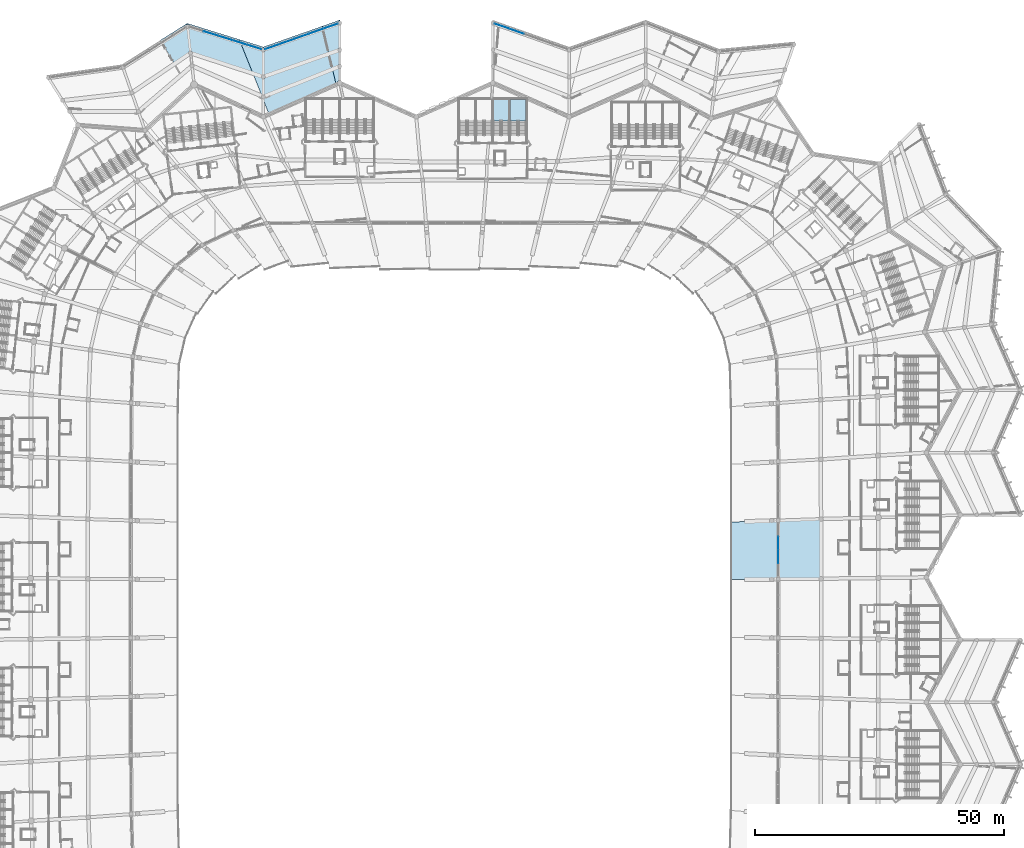
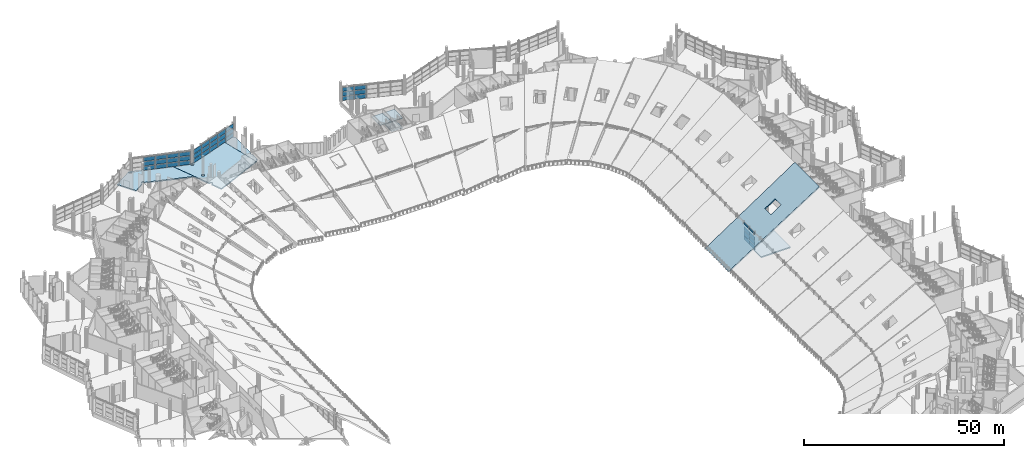
# One storey, part 126 of 249: 41 plates, 8 slabs, 6 elements without a shape of their own.
"""IFC4 building model written with IfcOpenShell, lengths in metres."""

from ifc_helpers import new_model, si_unit, direction, frame, origin, origin_2d, place, context, subcontext, project, spatial, polyline, rectangle, outline, extrude, material, layer, layer_set, type_object, element, aggregate, save


model = new_model("IFC4")

# Units and contexts
model_context = context("Model", 3, precision=1e-05, world=origin(), true_north=direction((0.0, 1.0)))
body_context = subcontext(model_context, "Body", "Model", "MODEL_VIEW")
ifc_project = project(units=[si_unit("LENGTHUNIT", "METRE"), si_unit("AREAUNIT", "SQUARE_METRE"), si_unit("VOLUMEUNIT", "CUBIC_METRE"), si_unit("PLANEANGLEUNIT", "RADIAN"), si_unit("MASSUNIT", "GRAM", prefix="KILO")], contexts=[model_context])

# Site, building, storey
site_placement = place(None, origin())
site = spatial("IfcSite", under=ifc_project, at=site_placement, CompositionType="ELEMENT")
building_placement = place(site_placement, origin())
building = spatial("IfcBuilding", under=site, at=building_placement, Name="Meseta Stadium", CompositionType="ELEMENT")
storey_placement = place(building_placement, frame((0.0, 0.0, 12.0)))
storey = spatial("IfcBuildingStorey", under=building, at=storey_placement, Name="L02", CompositionType="ELEMENT", Elevation=12.0)

# Curtain wall, plates
ifc_material_1 = material(Name="Aluminium", Category="aluminium")
ifc_layer_1 = layer(ifc_material_1, 0.199951171875)
ifc_layer_set_1 = layer_set([ifc_layer_1], Name="Suite glazing curtain wall")
curtain_wall_type_1 = type_object("IfcCurtainWallType", Name="Suite glazing curtain wall", PredefinedType="NOTDEFINED", material=ifc_layer_set_1)
curtain_wall_1_placement = place(storey_placement, origin())
curtain_wall_1 = element("IfcCurtainWall", 1, at=curtain_wall_1_placement, inside=storey, type_object=curtain_wall_type_1, Name="Suite glazing bay 05", PredefinedType="NOTDEFINED")
ifc_material_2 = material(Name="Glass", Category="glass")
ifc_layer_2 = layer(ifc_material_2, 0.035888671875)
ifc_layer_set_2 = layer_set([ifc_layer_2], Name="CW glass panel 36")
plate_type_1 = type_object("IfcPlateType", Name="CW glass panel 36", PredefinedType="CURTAIN_PANEL", material=ifc_layer_set_2)
plate_1_placement = place(storey_placement, frame((64.89404296875, 10.421875, 0.14990234375), z_axis=(0.0, 0.0, 1.0), x_axis=(-0.000975355927, 0.99999952434, 0.0)))
plate_1 = element("IfcPlate", 2, at=plate_1_placement, type_object=plate_type_1, Name="CWS panel 2.1", PredefinedType="CURTAIN_PANEL", context=body_context, shape_type="SweptSolid", body=[
    extrude(rectangle(XDim=2.643798828125, YDim=0.035888671875, at=origin_2d()), origin(), (0.0, 0.0, 1.0), 1.1875),
])
plate_2_placement = place(storey_placement, frame((64.89404296875, 10.421875, 1.4873046875), z_axis=(0.0, 0.0, 1.0), x_axis=(-0.000975355927, 0.99999952434, 0.0)))
plate_2 = element("IfcPlate", 3, at=plate_2_placement, type_object=plate_type_1, Name="CWS panel 2.2", PredefinedType="CURTAIN_PANEL", context=body_context, shape_type="SweptSolid", body=[
    extrude(rectangle(XDim=2.643798828125, YDim=0.035888671875, at=origin_2d()), origin(), (0.0, 0.0, 1.0), 1.262451171875),
])
plate_3_placement = place(storey_placement, frame((64.89404296875, 10.421875, 2.89990234375), z_axis=(0.0, 0.0, 1.0), x_axis=(-0.000975355927, 0.99999952434, 0.0)))
plate_3 = element("IfcPlate", 4, at=plate_3_placement, type_object=plate_type_1, Name="CWS panel 2.3", PredefinedType="CURTAIN_PANEL", context=body_context, shape_type="SweptSolid", body=[
    extrude(rectangle(XDim=2.643798828125, YDim=0.035888671875, at=origin_2d()), origin(), (0.0, 0.0, 1.0), 1.262451171875),
])
plate_4_placement = place(storey_placement, frame((64.89404296875, 10.421875, 4.3125), z_axis=(0.0, 0.0, 1.0), x_axis=(-0.000975355927, 0.99999952434, 0.0)))
plate_4 = element("IfcPlate", 5, at=plate_4_placement, type_object=plate_type_1, Name="CWS panel 2.4", PredefinedType="CURTAIN_PANEL", context=body_context, shape_type="SweptSolid", body=[
    extrude(rectangle(XDim=2.643798828125, YDim=0.035888671875, at=origin_2d()), origin(), (0.0, 0.0, 1.0), 1.1875),
])
plate_5_placement = place(storey_placement, frame((64.8916015625, 13.125732421875, 0.14990234375), z_axis=(0.0, 0.0, 1.0), x_axis=(-0.000975355927, 0.99999952434, 0.0)))
plate_5 = element("IfcPlate", 6, at=plate_5_placement, type_object=plate_type_1, Name="CWS panel 3.1", PredefinedType="CURTAIN_PANEL", context=body_context, shape_type="SweptSolid", body=[
    extrude(rectangle(XDim=2.643798828125, YDim=0.035888671875, at=origin_2d()), origin(), (0.0, 0.0, 1.0), 1.1875),
])
plate_6_placement = place(storey_placement, frame((64.8916015625, 13.125732421875, 1.4873046875), z_axis=(0.0, 0.0, 1.0), x_axis=(-0.000975355927, 0.99999952434, 0.0)))
plate_6 = element("IfcPlate", 7, at=plate_6_placement, type_object=plate_type_1, Name="CWS panel 3.2", PredefinedType="CURTAIN_PANEL", context=body_context, shape_type="SweptSolid", body=[
    extrude(rectangle(XDim=2.643798828125, YDim=0.035888671875, at=origin_2d()), origin(), (0.0, 0.0, 1.0), 1.262451171875),
])
plate_7_placement = place(storey_placement, frame((64.8916015625, 13.125732421875, 2.89990234375), z_axis=(0.0, 0.0, 1.0), x_axis=(-0.000975355927, 0.99999952434, 0.0)))
plate_7 = element("IfcPlate", 8, at=plate_7_placement, type_object=plate_type_1, Name="CWS panel 3.3", PredefinedType="CURTAIN_PANEL", context=body_context, shape_type="SweptSolid", body=[
    extrude(rectangle(XDim=2.643798828125, YDim=0.035888671875, at=origin_2d()), origin(), (0.0, 0.0, 1.0), 1.262451171875),
])
plate_8_placement = place(storey_placement, frame((64.8916015625, 13.125732421875, 4.3125), z_axis=(0.0, 0.0, 1.0), x_axis=(-0.000975355927, 0.99999952434, 0.0)))
plate_8 = element("IfcPlate", 9, at=plate_8_placement, type_object=plate_type_1, Name="CWS panel 3.4", PredefinedType="CURTAIN_PANEL", context=body_context, shape_type="SweptSolid", body=[
    extrude(rectangle(XDim=2.643798828125, YDim=0.035888671875, at=origin_2d()), origin(), (0.0, 0.0, 1.0), 1.1875),
])
aggregate(curtain_wall_1, [plate_1, plate_2, plate_3, plate_4, plate_5, plate_6, plate_7, plate_8])

# Slabs
ifc_material_3 = material(Name="Concrete C40/50", Category="concrete")
ifc_layer_3 = layer(ifc_material_3, 0.35009765625)
ifc_layer_set_3 = layer_set([ifc_layer_3], Name="Floor slab 350")
slab_type_1 = type_object("IfcSlabType", Name="Floor slab 350", PredefinedType="FLOOR", material=ifc_layer_set_3)
slab_1_placement = place(storey_placement, frame((0.0, 0.0, -0.35009765625)))
element("IfcSlab", 10, at=slab_1_placement, inside=storey, type_object=slab_type_1, Name="Floor slab L02 sector 00 panel 06", PredefinedType="FLOOR", context=body_context, shape_type="SweptSolid", body=[
    extrude(outline(polyline([(64.894287109375, 11.77392578125), (64.898681640625, 5.886962890625), (73.498046875, 5.981201171875), (73.482421875, 17.943603515625), (64.88720703125, 17.660888671875), (64.894287109375, 11.77392578125)])), origin(), (0.0, 0.0, 1.0), 0.35009765625),
])
slab_2_placement = place(storey_placement, frame((0.0, 0.0, -0.35009765625)))
element("IfcSlab", 11, at=slab_2_placement, inside=storey, type_object=slab_type_1, Name="Ring floor slab L02 3 part 1 panel 04", PredefinedType="FLOOR", context=body_context, shape_type="SweptSolid", body=[
    extrude(outline(polyline([(-53.318603515625, 111.372314453125), (-53.3046875, 111.476806640625), (-53.264404296875, 111.57421875), (-53.2001953125, 111.65771484375), (-53.11669921875, 111.7216796875), (-53.019287109375, 111.76220703125), (-52.9150390625, 111.77587890625), (-52.810546875, 111.76220703125), (-52.71337890625, 111.7216796875), (-52.629638671875, 111.65771484375), (-52.565673828125, 111.57421875), (-52.525390625, 111.476806640625), (-52.51171875, 111.372314453125), (-52.525390625, 111.267822265625), (-52.53369140625, 111.24755859375), (-40.443603515625, 107.29052734375), (-43.142822265625, 114.093017578125), (-53.5869140625, 117.334716796875), (-58.92919921875, 113.96826171875), (-56.162109375, 109.18115234375), (-53.247314453125, 111.148193359375), (-53.264404296875, 111.170654296875), (-53.3046875, 111.267822265625), (-53.318603515625, 111.372314453125)]), holes=[polyline([(-53.1162109375, 116.73828125), (-53.1298828125, 116.634033203125), (-53.170166015625, 116.53662109375), (-53.234375, 116.453125), (-53.31787109375, 116.388916015625), (-53.415283203125, 116.3486328125), (-53.51953125, 116.3349609375), (-53.6240234375, 116.3486328125), (-53.72119140625, 116.388916015625), (-53.804931640625, 116.453125), (-53.868896484375, 116.53662109375), (-53.9091796875, 116.634033203125), (-53.923095703125, 116.73828125), (-53.9091796875, 116.8427734375), (-53.868896484375, 116.940185546875), (-53.804931640625, 117.023681640625), (-53.72119140625, 117.087890625), (-53.6240234375, 117.128173828125), (-53.51953125, 117.141845703125), (-53.415283203125, 117.128173828125), (-53.31787109375, 117.087890625), (-53.234375, 117.023681640625), (-53.170166015625, 116.940185546875), (-53.1298828125, 116.8427734375), (-53.1162109375, 116.73828125)])]), origin(), (0.0, 0.0, 1.0), 0.35009765625),
])
slab_3_placement = place(storey_placement, frame((0.0, 0.0, -0.35009765625)))
element("IfcSlab", 12, at=slab_3_placement, inside=storey, type_object=slab_type_1, Name="Ring floor slab L02 3 part 2 panel 01", PredefinedType="FLOOR", context=body_context, shape_type="SweptSolid", body=[
    extrude(outline(polyline([(-38.333251953125, 102.196533203125), (-38.404296875, 102.205810546875), (-37.232421875, 99.25244140625), (-23.767578125, 105.2236328125), (-26.514892578125, 116.76220703125), (-38.333251953125, 112.60009765625), (-43.118408203125, 114.085205078125), (-38.655029296875, 102.837890625), (-38.61865234375, 102.88525390625), (-38.53515625, 102.949462890625), (-38.437744140625, 102.98974609375), (-38.333251953125, 103.00341796875), (-38.22900390625, 102.98974609375), (-38.131591796875, 102.949462890625), (-38.048095703125, 102.88525390625), (-37.98388671875, 102.8017578125), (-37.943603515625, 102.704345703125), (-37.929931640625, 102.60009765625), (-37.943603515625, 102.49560546875), (-37.98388671875, 102.398193359375), (-38.048095703125, 102.314697265625), (-38.131591796875, 102.25048828125), (-38.22900390625, 102.210205078125), (-38.333251953125, 102.196533203125)]), holes=[polyline([(-38.722900390625, 106.49560546875), (-38.73681640625, 106.60009765625), (-38.722900390625, 106.704345703125), (-38.6826171875, 106.8017578125), (-38.61865234375, 106.88525390625), (-38.53515625, 106.949462890625), (-38.437744140625, 106.98974609375), (-38.333251953125, 107.00341796875), (-38.22900390625, 106.98974609375), (-38.131591796875, 106.949462890625), (-38.048095703125, 106.88525390625), (-37.98388671875, 106.8017578125), (-37.943603515625, 106.704345703125), (-37.929931640625, 106.60009765625), (-37.943603515625, 106.49560546875), (-37.98388671875, 106.398193359375), (-38.048095703125, 106.314697265625), (-38.131591796875, 106.25048828125), (-38.22900390625, 106.210205078125), (-38.333251953125, 106.196533203125), (-38.437744140625, 106.210205078125), (-38.53515625, 106.25048828125), (-38.61865234375, 106.314697265625), (-38.6826171875, 106.398193359375), (-38.722900390625, 106.49560546875)]), polyline([(-38.048095703125, 111.714599609375), (-38.131591796875, 111.650634765625), (-38.22900390625, 111.6103515625), (-38.333251953125, 111.596435546875), (-38.437744140625, 111.6103515625), (-38.53515625, 111.650634765625), (-38.61865234375, 111.714599609375), (-38.6826171875, 111.79833984375), (-38.722900390625, 111.8955078125), (-38.73681640625, 112.0), (-38.722900390625, 112.1044921875), (-38.6826171875, 112.20166015625), (-38.61865234375, 112.285400390625), (-38.53515625, 112.349365234375), (-38.437744140625, 112.3896484375), (-38.333251953125, 112.403564453125), (-38.22900390625, 112.3896484375), (-38.131591796875, 112.349365234375), (-38.048095703125, 112.285400390625), (-37.98388671875, 112.20166015625), (-37.943603515625, 112.1044921875), (-37.929931640625, 112.0), (-37.943603515625, 111.8955078125), (-37.98388671875, 111.79833984375), (-38.048095703125, 111.714599609375)])]), origin(), (0.0, 0.0, 1.0), 0.35009765625),
])
slab_4_placement = place(storey_placement, frame((0.0, 0.0, -0.35009765625)))
element("IfcSlab", 13, at=slab_4_placement, inside=storey, type_object=slab_type_1, Name="Ring floor slab L02 3 part 2 panel 02", PredefinedType="FLOOR", context=body_context, shape_type="SweptSolid", body=[
    extrude(outline(polyline([(-23.130615234375, 105.88720703125), (-23.04150390625, 105.898681640625), (-23.04150390625, 108.302001953125), (-23.1044921875, 108.310302734375), (-23.20166015625, 108.3505859375), (-23.285400390625, 108.414794921875), (-23.349365234375, 108.498291015625), (-23.37158203125, 108.552001953125), (-23.3896484375, 108.595703125), (-23.403564453125, 108.699951171875), (-23.3896484375, 108.804443359375), (-23.349365234375, 108.901611328125), (-23.285400390625, 108.9853515625), (-23.20166015625, 109.04931640625), (-23.1044921875, 109.089599609375), (-23.04150390625, 109.097900390625), (-23.04150390625, 111.60205078125), (-23.1044921875, 111.6103515625), (-23.20166015625, 111.650634765625), (-23.285400390625, 111.714599609375), (-23.349365234375, 111.79833984375), (-23.3896484375, 111.8955078125), (-23.403564453125, 112.0), (-23.3896484375, 112.1044921875), (-23.349365234375, 112.20166015625), (-23.285400390625, 112.285400390625), (-23.20166015625, 112.349365234375), (-23.1044921875, 112.3896484375), (-23.04150390625, 112.39794921875), (-23.04150390625, 113.593994140625), (-23.0, 113.60009765625), (-23.0, 116.99658203125), (-23.1044921875, 117.01025390625), (-23.20166015625, 117.050537109375), (-23.285400390625, 117.11474609375), (-23.349365234375, 117.1982421875), (-23.3896484375, 117.295654296875), (-23.403564453125, 117.39990234375), (-23.3896484375, 117.50439453125), (-23.349365234375, 117.601806640625), (-23.285400390625, 117.685302734375), (-23.20166015625, 117.74951171875), (-23.1044921875, 117.789794921875), (-23.0, 117.803466796875), (-23.0, 118.0), (-26.514892578125, 116.76220703125), (-23.767578125, 105.2236328125), (-23.496826171875, 105.34375), (-23.50439453125, 105.39990234375), (-23.487060546875, 105.530517578125), (-23.436767578125, 105.652099609375), (-23.356689453125, 105.756591796875), (-23.252197265625, 105.836669921875), (-23.130615234375, 105.88720703125)])), origin(), (0.0, 0.0, 1.0), 0.35009765625),
])

# Curtain wall, plates
ifc_material_4 = material(Name="Aluminium", Category="aluminium")
ifc_layer_4 = layer(ifc_material_4, 0.199951171875)
ifc_layer_set_4 = layer_set([ifc_layer_4], Name="Ring shopfront curtain wall")
curtain_wall_type_2 = type_object("IfcCurtainWallType", Name="Ring shopfront curtain wall", PredefinedType="NOTDEFINED", material=ifc_layer_set_4)
curtain_wall_2_placement = place(storey_placement, origin())
curtain_wall_2 = element("IfcCurtainWall", 14, at=curtain_wall_2_placement, inside=storey, type_object=curtain_wall_type_2, Name="Ring glazing L02 F17", PredefinedType="NOTDEFINED")
ifc_material_5 = material(Name="Glass", Category="glass")
ifc_layer_5 = layer(ifc_material_5, 0.035888671875)
ifc_layer_set_5 = layer_set([ifc_layer_5], Name="Ring CW glass panel 36")
plate_type_2 = type_object("IfcPlateType", Name="Ring CW glass panel 36", PredefinedType="CURTAIN_PANEL", material=ifc_layer_set_5)
plate_9_placement = place(storey_placement, frame((12.417724609375, 115.726806640625, 0.14990234375), z_axis=(0.0, 0.0, 1.0), x_axis=(-0.943218009999, 0.332174330154, 0.0)))
plate_9 = element("IfcPlate", 15, at=plate_9_placement, type_object=plate_type_2, Name="CWR1 panel 4.1", PredefinedType="CURTAIN_PANEL", context=body_context, shape_type="SweptSolid", body=[
    extrude(rectangle(XDim=3.03125, YDim=0.035888671875, at=origin_2d()), origin(), (0.0, 0.0, 1.0), 1.208251953125),
])
plate_10_placement = place(storey_placement, frame((12.417724609375, 115.726806640625, 1.50830078125), z_axis=(0.0, 0.0, 1.0), x_axis=(-0.943218009999, 0.332174330154, 0.0)))
plate_10 = element("IfcPlate", 16, at=plate_10_placement, type_object=plate_type_2, Name="CWR1 panel 4.2", PredefinedType="CURTAIN_PANEL", context=body_context, shape_type="SweptSolid", body=[
    extrude(rectangle(XDim=3.03125, YDim=0.035888671875, at=origin_2d()), origin(), (0.0, 0.0, 1.0), 1.283447265625),
])
plate_11_placement = place(storey_placement, frame((12.417724609375, 115.726806640625, 2.94189453125), z_axis=(0.0, 0.0, 1.0), x_axis=(-0.943218009999, 0.332174330154, 0.0)))
plate_11 = element("IfcPlate", 17, at=plate_11_placement, type_object=plate_type_2, Name="CWR1 panel 4.3", PredefinedType="CURTAIN_PANEL", context=body_context, shape_type="SweptSolid", body=[
    extrude(rectangle(XDim=3.03125, YDim=0.035888671875, at=origin_2d()), origin(), (0.0, 0.0, 1.0), 1.208251953125),
])
plate_12_placement = place(storey_placement, frame((9.51611328125, 116.748779296875, 0.14990234375), z_axis=(0.0, 0.0, 1.0), x_axis=(-0.943218009999, 0.332174330154, 0.0)))
plate_12 = element("IfcPlate", 18, at=plate_12_placement, type_object=plate_type_2, Name="CWR1 panel 5.1", PredefinedType="CURTAIN_PANEL", context=body_context, shape_type="SweptSolid", body=[
    extrude(rectangle(XDim=3.001220703125, YDim=0.035888671875, at=origin_2d()), origin(), (0.0, 0.0, 1.0), 1.208251953125),
])
plate_13_placement = place(storey_placement, frame((9.51611328125, 116.748779296875, 1.50830078125), z_axis=(0.0, 0.0, 1.0), x_axis=(-0.943218009999, 0.332174330154, 0.0)))
plate_13 = element("IfcPlate", 19, at=plate_13_placement, type_object=plate_type_2, Name="CWR1 panel 5.2", PredefinedType="CURTAIN_PANEL", context=body_context, shape_type="SweptSolid", body=[
    extrude(rectangle(XDim=3.001220703125, YDim=0.035888671875, at=origin_2d()), origin(), (0.0, 0.0, 1.0), 1.283447265625),
])
plate_14_placement = place(storey_placement, frame((9.51611328125, 116.748779296875, 2.94189453125), z_axis=(0.0, 0.0, 1.0), x_axis=(-0.943218009999, 0.332174330154, 0.0)))
plate_14 = element("IfcPlate", 20, at=plate_14_placement, type_object=plate_type_2, Name="CWR1 panel 5.3", PredefinedType="CURTAIN_PANEL", context=body_context, shape_type="SweptSolid", body=[
    extrude(rectangle(XDim=3.001220703125, YDim=0.035888671875, at=origin_2d()), origin(), (0.0, 0.0, 1.0), 1.208251953125),
])
aggregate(curtain_wall_2, [plate_9, plate_10, plate_11, plate_12, plate_13, plate_14])

curtain_wall_3_placement = place(storey_placement, origin())
curtain_wall_3 = element("IfcCurtainWall", 21, at=curtain_wall_3_placement, inside=storey, type_object=curtain_wall_type_2, Name="Ring glazing L02 F20", PredefinedType="NOTDEFINED")
plate_15_placement = place(storey_placement, frame((-24.849365234375, 116.748779296875, 0.14990234375), z_axis=(0.0, 0.0, 1.0), x_axis=(-0.943218009999, -0.332174330154, 0.0)))
plate_15 = element("IfcPlate", 22, at=plate_15_placement, type_object=plate_type_2, Name="CWR1 panel 1.1", PredefinedType="CURTAIN_PANEL", context=body_context, shape_type="SweptSolid", body=[
    extrude(rectangle(XDim=3.001220703125, YDim=0.035888671875, at=origin_2d()), origin(), (0.0, 0.0, 1.0), 1.208251953125),
])
plate_16_placement = place(storey_placement, frame((-24.849365234375, 116.748779296875, 1.50830078125), z_axis=(0.0, 0.0, 1.0), x_axis=(-0.943218009999, -0.332174330154, 0.0)))
plate_16 = element("IfcPlate", 23, at=plate_16_placement, type_object=plate_type_2, Name="CWR1 panel 1.2", PredefinedType="CURTAIN_PANEL", context=body_context, shape_type="SweptSolid", body=[
    extrude(rectangle(XDim=3.001220703125, YDim=0.035888671875, at=origin_2d()), origin(), (0.0, 0.0, 1.0), 1.283447265625),
])
plate_17_placement = place(storey_placement, frame((-24.849365234375, 116.748779296875, 2.94189453125), z_axis=(0.0, 0.0, 1.0), x_axis=(-0.943218009999, -0.332174330154, 0.0)))
plate_17 = element("IfcPlate", 24, at=plate_17_placement, type_object=plate_type_2, Name="CWR1 panel 1.3", PredefinedType="CURTAIN_PANEL", context=body_context, shape_type="SweptSolid", body=[
    extrude(rectangle(XDim=3.001220703125, YDim=0.035888671875, at=origin_2d()), origin(), (0.0, 0.0, 1.0), 1.208251953125),
])
plate_18_placement = place(storey_placement, frame((-27.7509765625, 115.726806640625, 0.14990234375), z_axis=(0.0, 0.0, 1.0), x_axis=(-0.943218009999, -0.332174330154, 0.0)))
plate_18 = element("IfcPlate", 25, at=plate_18_placement, type_object=plate_type_2, Name="CWR1 panel 2.1", PredefinedType="CURTAIN_PANEL", context=body_context, shape_type="SweptSolid", body=[
    extrude(rectangle(XDim=3.03125, YDim=0.035888671875, at=origin_2d()), origin(), (0.0, 0.0, 1.0), 1.208251953125),
])
plate_19_placement = place(storey_placement, frame((-27.7509765625, 115.726806640625, 1.50830078125), z_axis=(0.0, 0.0, 1.0), x_axis=(-0.943218009999, -0.332174330154, 0.0)))
plate_19 = element("IfcPlate", 26, at=plate_19_placement, type_object=plate_type_2, Name="CWR1 panel 2.2", PredefinedType="CURTAIN_PANEL", context=body_context, shape_type="SweptSolid", body=[
    extrude(rectangle(XDim=3.03125, YDim=0.035888671875, at=origin_2d()), origin(), (0.0, 0.0, 1.0), 1.283447265625),
])
plate_20_placement = place(storey_placement, frame((-27.7509765625, 115.726806640625, 2.94189453125), z_axis=(0.0, 0.0, 1.0), x_axis=(-0.943218009999, -0.332174330154, 0.0)))
plate_20 = element("IfcPlate", 27, at=plate_20_placement, type_object=plate_type_2, Name="CWR1 panel 2.3", PredefinedType="CURTAIN_PANEL", context=body_context, shape_type="SweptSolid", body=[
    extrude(rectangle(XDim=3.03125, YDim=0.035888671875, at=origin_2d()), origin(), (0.0, 0.0, 1.0), 1.208251953125),
])
plate_21_placement = place(storey_placement, frame((-30.666748046875, 114.699951171875, 0.14990234375), z_axis=(0.0, 0.0, 1.0), x_axis=(-0.943218009999, -0.332174330154, 0.0)))
plate_21 = element("IfcPlate", 28, at=plate_21_placement, type_object=plate_type_2, Name="CWR1 panel 3.1", PredefinedType="CURTAIN_PANEL", context=body_context, shape_type="SweptSolid", body=[
    extrude(rectangle(XDim=3.03125, YDim=0.035888671875, at=origin_2d()), origin(), (0.0, 0.0, 1.0), 1.208251953125),
])
plate_22_placement = place(storey_placement, frame((-30.666748046875, 114.699951171875, 1.50830078125), z_axis=(0.0, 0.0, 1.0), x_axis=(-0.943218009999, -0.332174330154, 0.0)))
plate_22 = element("IfcPlate", 29, at=plate_22_placement, type_object=plate_type_2, Name="CWR1 panel 3.2", PredefinedType="CURTAIN_PANEL", context=body_context, shape_type="SweptSolid", body=[
    extrude(rectangle(XDim=3.03125, YDim=0.035888671875, at=origin_2d()), origin(), (0.0, 0.0, 1.0), 1.283447265625),
])
plate_23_placement = place(storey_placement, frame((-30.666748046875, 114.699951171875, 2.94189453125), z_axis=(0.0, 0.0, 1.0), x_axis=(-0.943218009999, -0.332174330154, 0.0)))
plate_23 = element("IfcPlate", 30, at=plate_23_placement, type_object=plate_type_2, Name="CWR1 panel 3.3", PredefinedType="CURTAIN_PANEL", context=body_context, shape_type="SweptSolid", body=[
    extrude(rectangle(XDim=3.03125, YDim=0.035888671875, at=origin_2d()), origin(), (0.0, 0.0, 1.0), 1.208251953125),
])
plate_24_placement = place(storey_placement, frame((-33.582275390625, 113.673095703125, 0.14990234375), z_axis=(0.0, 0.0, 1.0), x_axis=(-0.943218009999, -0.332174330154, 0.0)))
plate_24 = element("IfcPlate", 31, at=plate_24_placement, type_object=plate_type_2, Name="CWR1 panel 4.1", PredefinedType="CURTAIN_PANEL", context=body_context, shape_type="SweptSolid", body=[
    extrude(rectangle(XDim=3.03125, YDim=0.035888671875, at=origin_2d()), origin(), (0.0, 0.0, 1.0), 1.208251953125),
])
plate_25_placement = place(storey_placement, frame((-33.582275390625, 113.673095703125, 1.50830078125), z_axis=(0.0, 0.0, 1.0), x_axis=(-0.943218009999, -0.332174330154, 0.0)))
plate_25 = element("IfcPlate", 32, at=plate_25_placement, type_object=plate_type_2, Name="CWR1 panel 4.2", PredefinedType="CURTAIN_PANEL", context=body_context, shape_type="SweptSolid", body=[
    extrude(rectangle(XDim=3.03125, YDim=0.035888671875, at=origin_2d()), origin(), (0.0, 0.0, 1.0), 1.283447265625),
])
plate_26_placement = place(storey_placement, frame((-33.582275390625, 113.673095703125, 2.94189453125), z_axis=(0.0, 0.0, 1.0), x_axis=(-0.943218009999, -0.332174330154, 0.0)))
plate_26 = element("IfcPlate", 33, at=plate_26_placement, type_object=plate_type_2, Name="CWR1 panel 4.3", PredefinedType="CURTAIN_PANEL", context=body_context, shape_type="SweptSolid", body=[
    extrude(rectangle(XDim=3.03125, YDim=0.035888671875, at=origin_2d()), origin(), (0.0, 0.0, 1.0), 1.208251953125),
])
plate_27_placement = place(storey_placement, frame((-36.48388671875, 112.6513671875, 0.14990234375), z_axis=(0.0, 0.0, 1.0), x_axis=(-0.943218009999, -0.332174330154, 0.0)))
plate_27 = element("IfcPlate", 34, at=plate_27_placement, type_object=plate_type_2, Name="CWR1 panel 5.1", PredefinedType="CURTAIN_PANEL", context=body_context, shape_type="SweptSolid", body=[
    extrude(rectangle(XDim=3.001220703125, YDim=0.035888671875, at=origin_2d()), origin(), (0.0, 0.0, 1.0), 1.208251953125),
])
plate_28_placement = place(storey_placement, frame((-36.48388671875, 112.6513671875, 1.50830078125), z_axis=(0.0, 0.0, 1.0), x_axis=(-0.943218009999, -0.332174330154, 0.0)))
plate_28 = element("IfcPlate", 35, at=plate_28_placement, type_object=plate_type_2, Name="CWR1 panel 5.2", PredefinedType="CURTAIN_PANEL", context=body_context, shape_type="SweptSolid", body=[
    extrude(rectangle(XDim=3.001220703125, YDim=0.035888671875, at=origin_2d()), origin(), (0.0, 0.0, 1.0), 1.283447265625),
])
plate_29_placement = place(storey_placement, frame((-36.48388671875, 112.6513671875, 2.94189453125), z_axis=(0.0, 0.0, 1.0), x_axis=(-0.943218009999, -0.332174330154, 0.0)))
plate_29 = element("IfcPlate", 36, at=plate_29_placement, type_object=plate_type_2, Name="CWR1 panel 5.3", PredefinedType="CURTAIN_PANEL", context=body_context, shape_type="SweptSolid", body=[
    extrude(rectangle(XDim=3.001220703125, YDim=0.035888671875, at=origin_2d()), origin(), (0.0, 0.0, 1.0), 1.208251953125),
])
aggregate(curtain_wall_3, [plate_15, plate_16, plate_17, plate_18, plate_19, plate_20, plate_21, plate_22, plate_23, plate_24, plate_25, plate_26, plate_27, plate_28, plate_29])

curtain_wall_4_placement = place(storey_placement, origin())
curtain_wall_4 = element("IfcCurtainWall", 37, at=curtain_wall_4_placement, inside=storey, type_object=curtain_wall_type_2, Name="Ring glazing L02 F21", PredefinedType="NOTDEFINED")
plate_30_placement = place(storey_placement, frame((-40.171875, 112.573486328125, 0.14990234375), z_axis=(0.0, 0.0, 1.0), x_axis=(-0.95460920309, 0.297861157885, 0.0)))
plate_30 = element("IfcPlate", 38, at=plate_30_placement, type_object=plate_type_2, Name="CWR1 panel 1.1", PredefinedType="CURTAIN_PANEL", context=body_context, shape_type="SweptSolid", body=[
    extrude(rectangle(XDim=2.931640625, YDim=0.035888671875, at=origin_2d()), origin(), (0.0, 0.0, 1.0), 1.208251953125),
])
plate_31_placement = place(storey_placement, frame((-40.171875, 112.573486328125, 1.50830078125), z_axis=(0.0, 0.0, 1.0), x_axis=(-0.95460920309, 0.297861157885, 0.0)))
plate_31 = element("IfcPlate", 39, at=plate_31_placement, type_object=plate_type_2, Name="CWR1 panel 1.2", PredefinedType="CURTAIN_PANEL", context=body_context, shape_type="SweptSolid", body=[
    extrude(rectangle(XDim=2.931640625, YDim=0.035888671875, at=origin_2d()), origin(), (0.0, 0.0, 1.0), 1.283447265625),
])
plate_32_placement = place(storey_placement, frame((-40.171875, 112.573486328125, 2.94189453125), z_axis=(0.0, 0.0, 1.0), x_axis=(-0.95460920309, 0.297861157885, 0.0)))
plate_32 = element("IfcPlate", 40, at=plate_32_placement, type_object=plate_type_2, Name="CWR1 panel 1.3", PredefinedType="CURTAIN_PANEL", context=body_context, shape_type="SweptSolid", body=[
    extrude(rectangle(XDim=2.931640625, YDim=0.035888671875, at=origin_2d()), origin(), (0.0, 0.0, 1.0), 1.208251953125),
])
plate_33_placement = place(storey_placement, frame((-43.0419921875, 113.46923828125, 0.14990234375), z_axis=(0.0, 0.0, 1.0), x_axis=(-0.95460920309, 0.297861157885, 0.0)))
plate_33 = element("IfcPlate", 41, at=plate_33_placement, type_object=plate_type_2, Name="CWR1 panel 2.1", PredefinedType="CURTAIN_PANEL", context=body_context, shape_type="SweptSolid", body=[
    extrude(rectangle(XDim=2.961669921875, YDim=0.035888671875, at=origin_2d()), origin(), (0.0, 0.0, 1.0), 1.208251953125),
])
plate_34_placement = place(storey_placement, frame((-43.0419921875, 113.46923828125, 1.50830078125), z_axis=(0.0, 0.0, 1.0), x_axis=(-0.95460920309, 0.297861157885, 0.0)))
plate_34 = element("IfcPlate", 42, at=plate_34_placement, type_object=plate_type_2, Name="CWR1 panel 2.2", PredefinedType="CURTAIN_PANEL", context=body_context, shape_type="SweptSolid", body=[
    extrude(rectangle(XDim=2.961669921875, YDim=0.035888671875, at=origin_2d()), origin(), (0.0, 0.0, 1.0), 1.283447265625),
])
plate_35_placement = place(storey_placement, frame((-43.0419921875, 113.46923828125, 2.94189453125), z_axis=(0.0, 0.0, 1.0), x_axis=(-0.95460920309, 0.297861157885, 0.0)))
plate_35 = element("IfcPlate", 43, at=plate_35_placement, type_object=plate_type_2, Name="CWR1 panel 2.3", PredefinedType="CURTAIN_PANEL", context=body_context, shape_type="SweptSolid", body=[
    extrude(rectangle(XDim=2.961669921875, YDim=0.035888671875, at=origin_2d()), origin(), (0.0, 0.0, 1.0), 1.208251953125),
])
plate_36_placement = place(storey_placement, frame((-45.926513671875, 114.369140625, 0.14990234375), z_axis=(0.0, 0.0, 1.0), x_axis=(-0.95460920309, 0.297861157885, 0.0)))
plate_36 = element("IfcPlate", 44, at=plate_36_placement, type_object=plate_type_2, Name="CWR1 panel 3.1", PredefinedType="CURTAIN_PANEL", context=body_context, shape_type="SweptSolid", body=[
    extrude(rectangle(XDim=2.961669921875, YDim=0.035888671875, at=origin_2d()), origin(), (0.0, 0.0, 1.0), 1.208251953125),
])
plate_37_placement = place(storey_placement, frame((-45.926513671875, 114.369140625, 1.50830078125), z_axis=(0.0, 0.0, 1.0), x_axis=(-0.95460920309, 0.297861157885, 0.0)))
plate_37 = element("IfcPlate", 45, at=plate_37_placement, type_object=plate_type_2, Name="CWR1 panel 3.2", PredefinedType="CURTAIN_PANEL", context=body_context, shape_type="SweptSolid", body=[
    extrude(rectangle(XDim=2.961669921875, YDim=0.035888671875, at=origin_2d()), origin(), (0.0, 0.0, 1.0), 1.283447265625),
])
plate_38_placement = place(storey_placement, frame((-45.926513671875, 114.369140625, 2.94189453125), z_axis=(0.0, 0.0, 1.0), x_axis=(-0.95460920309, 0.297861157885, 0.0)))
plate_38 = element("IfcPlate", 46, at=plate_38_placement, type_object=plate_type_2, Name="CWR1 panel 3.3", PredefinedType="CURTAIN_PANEL", context=body_context, shape_type="SweptSolid", body=[
    extrude(rectangle(XDim=2.961669921875, YDim=0.035888671875, at=origin_2d()), origin(), (0.0, 0.0, 1.0), 1.208251953125),
])
plate_39_placement = place(storey_placement, frame((-48.81103515625, 115.269287109375, 0.14990234375), z_axis=(0.0, 0.0, 1.0), x_axis=(-0.95460920309, 0.297861157885, 0.0)))
plate_39 = element("IfcPlate", 47, at=plate_39_placement, type_object=plate_type_2, Name="CWR1 panel 4.1", PredefinedType="CURTAIN_PANEL", context=body_context, shape_type="SweptSolid", body=[
    extrude(rectangle(XDim=2.961669921875, YDim=0.035888671875, at=origin_2d()), origin(), (0.0, 0.0, 1.0), 1.208251953125),
])
plate_40_placement = place(storey_placement, frame((-48.81103515625, 115.269287109375, 1.50830078125), z_axis=(0.0, 0.0, 1.0), x_axis=(-0.95460920309, 0.297861157885, 0.0)))
plate_40 = element("IfcPlate", 48, at=plate_40_placement, type_object=plate_type_2, Name="CWR1 panel 4.2", PredefinedType="CURTAIN_PANEL", context=body_context, shape_type="SweptSolid", body=[
    extrude(rectangle(XDim=2.961669921875, YDim=0.035888671875, at=origin_2d()), origin(), (0.0, 0.0, 1.0), 1.283447265625),
])
plate_41_placement = place(storey_placement, frame((-48.81103515625, 115.269287109375, 2.94189453125), z_axis=(0.0, 0.0, 1.0), x_axis=(-0.95460920309, 0.297861157885, 0.0)))
plate_41 = element("IfcPlate", 49, at=plate_41_placement, type_object=plate_type_2, Name="CWR1 panel 4.3", PredefinedType="CURTAIN_PANEL", context=body_context, shape_type="SweptSolid", body=[
    extrude(rectangle(XDim=2.961669921875, YDim=0.035888671875, at=origin_2d()), origin(), (0.0, 0.0, 1.0), 1.208251953125),
])
aggregate(curtain_wall_4, [plate_30, plate_31, plate_32, plate_33, plate_34, plate_35, plate_36, plate_37, plate_38, plate_39, plate_40, plate_41])

# Slab
ifc_material_6 = material(Name="Concrete C40/50", Category="concrete")
ifc_layer_6 = layer(ifc_material_6, 0.35009765625)
ifc_layer_set_6 = layer_set([ifc_layer_6], Name="Seating tier 350")
slab_type_2 = type_object("IfcSlabType", Name="Seating tier 350", PredefinedType="USERDEFINED", material=ifc_layer_set_6)
slab_5_placement = place(storey_placement, frame((55.399169921875, 5.782958984375, -1.0771484375), z_axis=(-0.529871243907, -0.011637411984, 0.847998252075), x_axis=(0.847961743481, 0.009293011372, 0.529975963165)))
element("IfcSlab", 50, at=slab_5_placement, inside=storey, type_object=slab_type_2, Name="Stand upper tier bay 06", ObjectType="SEATING TIER", PredefinedType="USERDEFINED", context=body_context, shape_type="SweptSolid", body=[
    extrude(outline(polyline([(0.0, 0.0), (31.131639455140796, -4.163336342344337e-17), (31.309499044784012, 12.143736829531354), (0.18324766916193205, 11.565009373164507), (0.0, 0.0)]), holes=[polyline([(17.6748046875, 4.44580078125), (21.21240234375, 4.47900390625), (21.184326171875, 7.478759765625), (17.646728515625, 7.44580078125), (17.6748046875, 4.44580078125)])]), origin(), (0.0, 0.0, -1.0), 0.35009765625),
])

# Stair, slabs
ifc_material_7 = material(Name="Concrete C40/50", Category="concrete")
stair_type = type_object("IfcStairType", Name="Exit stair 4 flights 150 mm risers", PredefinedType="HALF_TURN_STAIR", material=ifc_material_7)
stair_1_placement = place(storey_placement, origin())
stair_1 = element("IfcStair", 51, at=stair_1_placement, inside=storey, type_object=stair_type, Name="ST37 L02", PredefinedType="HALF_TURN_STAIR")
ifc_material_8 = material(Name="Concrete C40/50", Category="concrete")
ifc_layer_7 = layer(ifc_material_8, 0.199951171875)
ifc_layer_set_7 = layer_set([ifc_layer_7], Name="Stair landing 200")
slab_type_3 = type_object("IfcSlabType", Name="Stair landing 200", PredefinedType="LANDING", material=ifc_layer_set_7)
slab_6_placement = place(storey_placement, frame((0.0, 0.0, 1.300048828125)))
slab_6 = element("IfcSlab", 52, at=slab_6_placement, type_object=slab_type_3, Name="ST37 L02 landing 1", PredefinedType="LANDING", context=body_context, shape_type="SweptSolid", body=[
    extrude(outline(polyline([(14.36669921875, 97.77001953125), (14.36669921875, 102.10009765625), (11.166748046875, 102.10009765625), (11.166748046875, 97.77001953125), (14.36669921875, 97.77001953125)])), origin(), (0.0, 0.0, 1.0), 0.199951171875),
])
slab_7_placement = place(storey_placement, frame((0.0, 0.0, 4.300048828125)))
slab_7 = element("IfcSlab", 53, at=slab_7_placement, type_object=slab_type_3, Name="ST37 L02 landing 3", PredefinedType="LANDING", context=body_context, shape_type="SweptSolid", body=[
    extrude(outline(polyline([(14.36669921875, 97.77001953125), (14.36669921875, 102.10009765625), (11.166748046875, 102.10009765625), (11.166748046875, 97.77001953125), (14.36669921875, 97.77001953125)])), origin(), (0.0, 0.0, 1.0), 0.199951171875),
])
aggregate(stair_1, [slab_6, slab_7])

# Stair, slab
stair_2_placement = place(storey_placement, origin())
stair_2 = element("IfcStair", 54, at=stair_2_placement, inside=storey, type_object=stair_type, Name="ST38 L02", PredefinedType="HALF_TURN_STAIR")
slab_8_placement = place(storey_placement, frame((0.0, 0.0, 4.300048828125)))
slab_8 = element("IfcSlab", 55, at=slab_8_placement, type_object=slab_type_3, Name="ST38 L02 landing 3", PredefinedType="LANDING", context=body_context, shape_type="SweptSolid", body=[
    extrude(outline(polyline([(10.966552734375, 97.77001953125), (10.966552734375, 102.10009765625), (7.7666015625, 102.10009765625), (7.7666015625, 97.77001953125), (10.966552734375, 97.77001953125)])), origin(), (0.0, 0.0, 1.0), 0.199951171875),
])
aggregate(stair_2, [slab_8])

save(model, "model.ifc")
